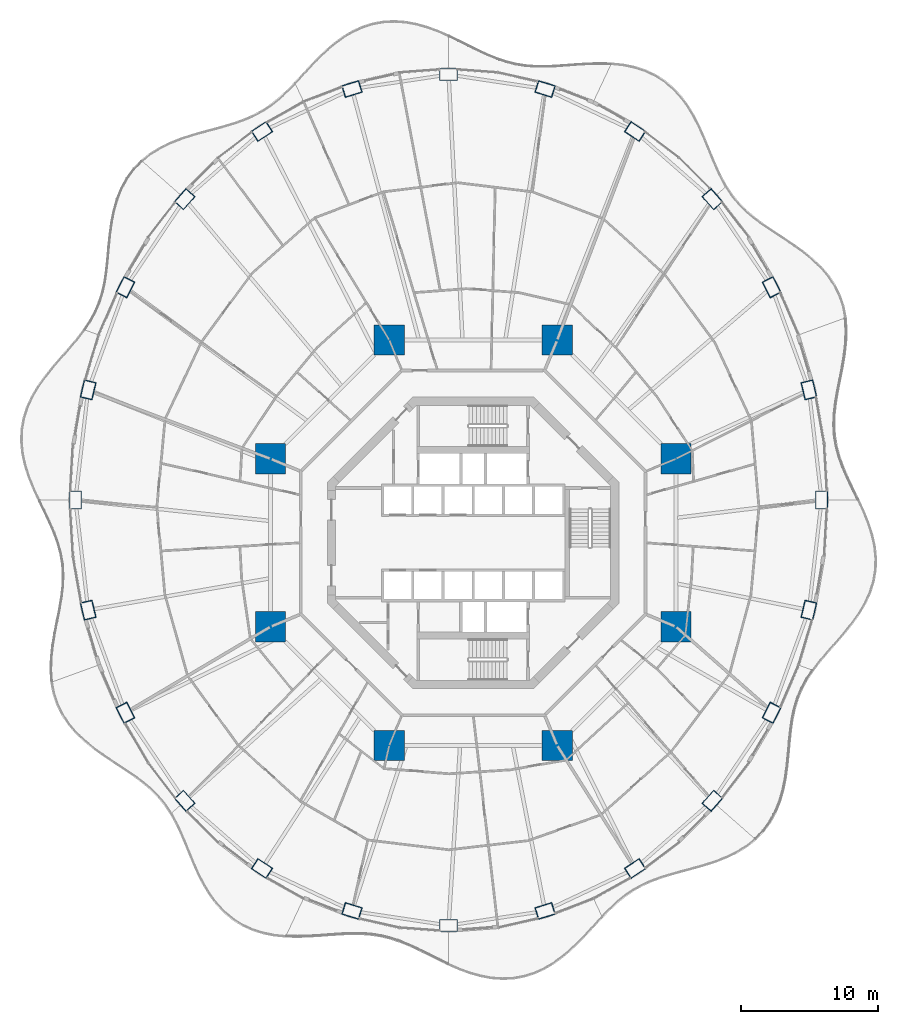
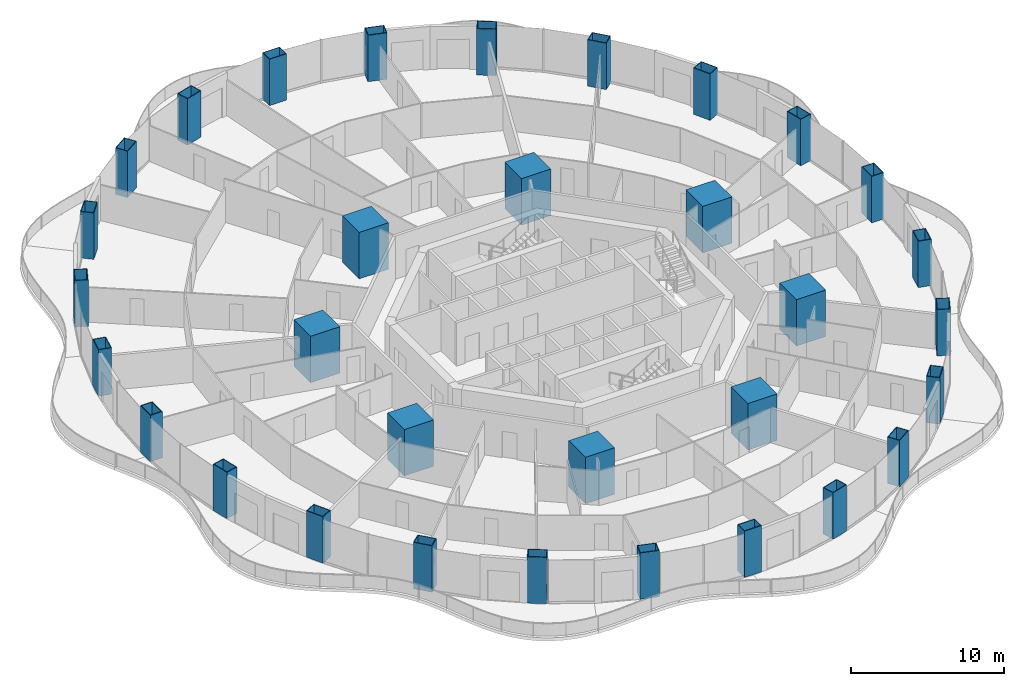
# One storey, part 1 of 22: 32 columns.
"""IFC4 building model written with IfcOpenShell, lengths in metres."""

from ifc_helpers import new_model, si_unit, direction, frame, origin, origin_2d, place, context, subcontext, project, spatial, rectangle, hollow_rectangle, extrude, material, material_profile, profile_set, type_object, element, save


model = new_model("IFC4")

# Units and contexts
model_context = context("Model", 3, precision=1e-05, world=origin(), true_north=direction((0.0, 1.0)))
body_context = subcontext(model_context, "Body", "Model", "MODEL_VIEW")
ifc_project = project(units=[si_unit("LENGTHUNIT", "METRE"), si_unit("AREAUNIT", "SQUARE_METRE"), si_unit("VOLUMEUNIT", "CUBIC_METRE"), si_unit("PLANEANGLEUNIT", "RADIAN"), si_unit("MASSUNIT", "GRAM", prefix="KILO")], contexts=[model_context])

# Site, building, storey
site_placement = place(None, origin())
site = spatial("IfcSite", under=ifc_project, at=site_placement, CompositionType="ELEMENT")
building_placement = place(site_placement, origin())
building = spatial("IfcBuilding", under=site, at=building_placement, Name="Nagisa Residences", CompositionType="ELEMENT")
storey_placement = place(building_placement, frame((0.0, 0.0, 84.39990234375)))
storey = spatial("IfcBuildingStorey", under=building, at=storey_placement, Name="L20", CompositionType="ELEMENT", Elevation=84.39990234375)

# Columns
ifc_material_1 = material(Name="Concrete C80", Category="concrete")
ifc_material_profile_1 = material_profile(ifc_material_1, rectangle(XDim=2.199951171875, YDim=2.199951171875, at=origin_2d()), Name="C80 2200x2200")
ifc_profile_set_1 = profile_set([ifc_material_profile_1], Name="Concrete C80")
column_type_1 = type_object("IfcColumnType", Name="Inner megacolumn C80 2200x2200", PredefinedType="COLUMN", material=ifc_profile_set_1)
for number, where, z_axis, x_axis, name in (
    (1, (14.781982421875, 6.123046875, 0.0), (0.0, 0.0, 1.0), (1.0, 0.0, 0.0), "col:L20:i1"),
    (2, (6.123046875, 14.781982421875, 0.0), (0.0, 0.0, 1.0), (1.0, 0.0, 0.0), "col:L20:i2"),
    (3, (-6.123046875, 14.781982421875, 0.0), (0.0, 0.0, 1.0), (1.0, 0.0, 0.0), "col:L20:i3"),
    (4, (-14.781982421875, 6.123046875, 0.0), (0.0, 0.0, 1.0), (1.0, 0.0, 0.0), "col:L20:i4"),
    (5, (-14.781982421875, -6.123046875, 0.0), (0.0, 0.0, 1.0), (1.0, 0.0, 0.0), "col:L20:i5"),
    (6, (-6.123046875, -14.781982421875, 0.0), (0.0, 0.0, 1.0), (1.0, 0.0, 0.0), "col:L20:i6"),
    (7, (6.123046875, -14.781982421875, 0.0), (0.0, 0.0, 1.0), (1.0, 0.0, 0.0), "col:L20:i7"),
    (8, (14.781982421875, -6.123046875, 0.0), (0.0, 0.0, 1.0), (1.0, 0.0, 0.0), "col:L20:i8"),
):
    element("IfcColumn", number, at=place(storey_placement, frame(where, z_axis=z_axis, x_axis=x_axis)), inside=storey, type_object=column_type_1, Name=name, PredefinedType="COLUMN", context=body_context, shape_type="SweptSolid", body=[
        extrude(rectangle(XDim=2.199951171875, YDim=2.199951171875, at=origin_2d()), origin(), (0.0, 0.0, 1.0), 3.7001953125),
    ])
ifc_material_2 = material(Name="Steel ASTM A572 Gr 50", Category="steel")
ifc_material_profile_2 = material_profile(ifc_material_2, hollow_rectangle(XDim=1.300048828125, YDim=0.89990234375, WallThickness=0.044921875, at=origin_2d()), Name="BX 1300x900x45")
ifc_profile_set_2 = profile_set([ifc_material_profile_2], Name="Steel ASTM A572 Gr 50")
column_type_2 = type_object("IfcColumnType", Name="Perimeter column BX 1300x900x45", PredefinedType="COLUMN", material=ifc_profile_set_2)
for number, where, z_axis, x_axis, name in (
    (9, (25.39501953125, 3.11767578125, 0.0), (0.0, 0.0, 1.0), (0.0, 1.0, 0.0), "col:L20:p00"),
    (10, (24.46826171875, 11.14501953125, 0.0), (0.0, 0.0, 1.0), (-0.229202013103, 0.973378876486, 0.0), "col:L20:p01"),
    (11, (21.75146484375, 18.625244140625, 0.0), (0.0, 0.0, 1.0), (-0.452462697578, 0.891783329795, 0.0), "col:L20:p02"),
    (12, (17.4296875, 25.048583984375, 0.0), (0.0, 0.0, 1.0), (-0.660114607735, 0.751164898445, 0.0), "col:L20:p03"),
    (13, (11.797607421875, 29.9775390625, 0.0), (0.0, 0.0, 1.0), (-0.835766105673, 0.54908561865, 0.0), "col:L20:p04"),
    (14, (5.238525390625, 33.075927734375, 0.0), (0.0, 0.0, 1.0), (-0.956524583408, 0.291651712384, 0.0), "col:L20:p05"),
    (15, (-1.800048828125, 34.1328125, 0.0), (0.0, 0.0, 1.0), (-1.0, 0.0, 0.0), "col:L20:p06"),
    (16, (-8.838623046875, 33.075927734375, 0.0), (0.0, 0.0, 1.0), (-0.956524583408, -0.291651712384, 0.0), "col:L20:p07"),
    (17, (-15.3974609375, 29.9775390625, 0.0), (0.0, 0.0, 1.0), (-0.835766105673, -0.54908561865, 0.0), "col:L20:p08"),
    (18, (-21.02978515625, 25.048583984375, 0.0), (0.0, 0.0, 1.0), (-0.660114607735, -0.751164898445, 0.0), "col:L20:p09"),
    (19, (-25.3515625, 18.625244140625, 0.0), (0.0, 0.0, 1.0), (-0.452462697578, -0.891783329795, 0.0), "col:L20:p10"),
    (20, (-28.068359375, 11.14501953125, 0.0), (0.0, 0.0, 1.0), (-0.229202013103, -0.973378876486, 0.0), "col:L20:p11"),
    (21, (-28.9951171875, 3.11767578125, 0.0), (0.0, 0.0, 1.0), (0.0, -1.0, 0.0), "col:L20:p12"),
    (22, (-28.068359375, -4.90966796875, 0.0), (0.0, 0.0, 1.0), (0.229202013103, -0.973378876486, 0.0), "col:L20:p13"),
    (23, (-25.3515625, -12.389892578125, 0.0), (0.0, 0.0, 1.0), (0.452462697578, -0.891783329795, 0.0), "col:L20:p14"),
    (24, (-21.02978515625, -18.813232421875, 0.0), (0.0, 0.0, 1.0), (0.660114607735, -0.751164898445, 0.0), "col:L20:p15"),
    (25, (-15.3974609375, -23.7421875, 0.0), (0.0, 0.0, 1.0), (0.835766105673, -0.54908561865, 0.0), "col:L20:p16"),
    (26, (-8.838623046875, -26.840576171875, 0.0), (0.0, 0.0, 1.0), (0.956524583408, -0.291651712384, 0.0), "col:L20:p17"),
    (27, (-1.800048828125, -27.897216796875, 0.0), (0.0, 0.0, 1.0), (1.0, 0.0, 0.0), "col:L20:p18"),
    (28, (5.238525390625, -26.840576171875, 0.0), (0.0, 0.0, 1.0), (0.956524583408, 0.291651712384, 0.0), "col:L20:p19"),
    (29, (11.797607421875, -23.7421875, 0.0), (0.0, 0.0, 1.0), (0.835766105673, 0.54908561865, 0.0), "col:L20:p20"),
    (30, (17.4296875, -18.813232421875, 0.0), (0.0, 0.0, 1.0), (0.660114607735, 0.751164898445, 0.0), "col:L20:p21"),
    (31, (21.75146484375, -12.389892578125, 0.0), (0.0, 0.0, 1.0), (0.452462697578, 0.891783329795, 0.0), "col:L20:p22"),
    (32, (24.46826171875, -4.90966796875, 0.0), (0.0, 0.0, 1.0), (0.229202013103, 0.973378876486, 0.0), "col:L20:p23"),
):
    element("IfcColumn", number, at=place(storey_placement, frame(where, z_axis=z_axis, x_axis=x_axis)), inside=storey, type_object=column_type_2, Name=name, PredefinedType="COLUMN", context=body_context, shape_type="SweptSolid", body=[
        extrude(hollow_rectangle(XDim=1.300048828125, YDim=0.89990234375, WallThickness=0.044921875, at=origin_2d()), origin(), (0.0, 0.0, 1.0), 3.7001953125),
    ])

save(model, "model.ifc")
